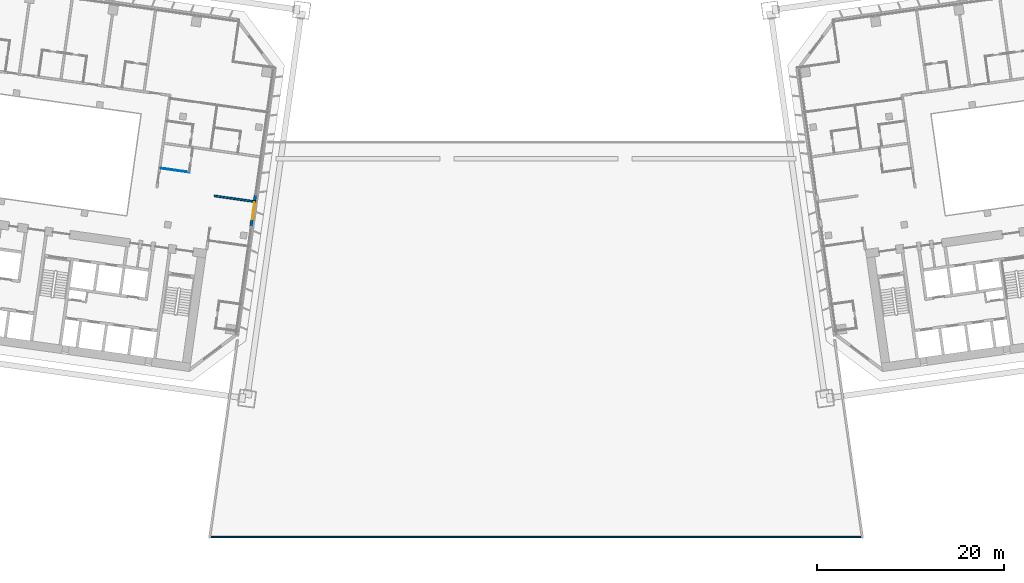
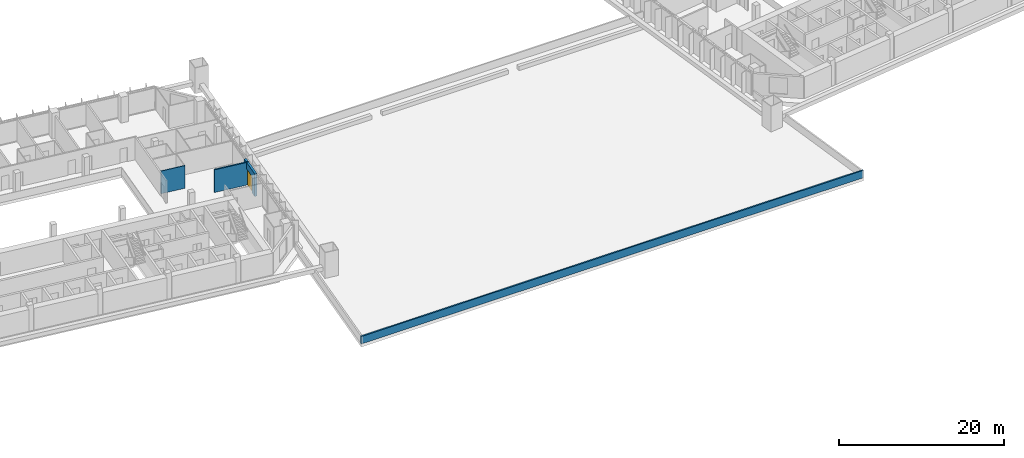
# One storey, part 30 of 46: 4 walls, 1 door, 1 opening.
"""IFC4 building model written with IfcOpenShell, lengths in metres."""

from ifc_helpers import new_model, si_unit, direction, frame, frame_2d, origin, place, context, subcontext, project, spatial, rectangle, extrude, material, layer, layer_set, type_object, element, fill, save


model = new_model("IFC4")

# Units and contexts
model_context = context("Model", 3, precision=1e-05, world=origin(), true_north=direction((0.0, 1.0)))
body_context = subcontext(model_context, "Body", "Model", "MODEL_VIEW")
ifc_project = project(units=[si_unit("LENGTHUNIT", "METRE"), si_unit("AREAUNIT", "SQUARE_METRE"), si_unit("VOLUMEUNIT", "CUBIC_METRE"), si_unit("PLANEANGLEUNIT", "RADIAN"), si_unit("MASSUNIT", "GRAM", prefix="KILO")], contexts=[model_context])

# Site, building, storey
site_placement = place(None, origin())
site = spatial("IfcSite", under=ifc_project, at=site_placement, CompositionType="ELEMENT")
building_placement = place(site_placement, origin())
building = spatial("IfcBuilding", under=site, at=building_placement, Name="Mirante Cascada Hotel Towers", CompositionType="ELEMENT")
storey_placement = place(building_placement, frame((0.0, 0.0, 39.5)))
storey = spatial("IfcBuildingStorey", under=building, at=storey_placement, Name="L06", CompositionType="ELEMENT", Elevation=39.5)

# Walls
ifc_material_1 = material(Name="Fire-rated plasterboard on metal studs")
ifc_layer_1 = layer(ifc_material_1, 0.2)
ifc_layer_set_1 = layer_set([ifc_layer_1], Name="Compartment wall 200 EI 120")
wall_type_1 = type_object("IfcWallType", Name="Compartment wall 200 EI 120", PredefinedType="PARTITIONING", material=ifc_layer_set_1)
wall_1_placement = place(storey_placement, frame((-34.4562, -1.3737, 0.0), z_axis=(0.0, 0.0, 1.0), x_axis=(0.9902674, -0.1391779, 0.0)))
element("IfcWall", 1, at=wall_1_placement, inside=storey, type_object=wall_type_1, Name="Wall 1-L06-08", PredefinedType="PARTITIONING", context=body_context, shape_type="SweptSolid", body=[
    extrude(rectangle(XDim=4.5, YDim=0.2, at=frame_2d((2.25, 0.0))), origin(), (0.0, 0.0, 1.0), 3.35),
])
ifc_material_2 = material(Name="Plasterboard on metal studs")
ifc_layer_2 = layer(ifc_material_2, 0.1)
ifc_layer_set_2 = layer_set([ifc_layer_2], Name="Partition 100")
wall_type_2 = type_object("IfcWallType", Name="Partition 100", PredefinedType="PARTITIONING", material=ifc_layer_set_2)
wall_2_placement = place(storey_placement, frame((-40.1999, 1.5878, 0.0), z_axis=(0.0, 0.0, 1.0), x_axis=(0.9902676, -0.1391765, 0.0)))
element("IfcWall", 2, at=wall_2_placement, inside=storey, type_object=wall_type_2, Name="Wall 1-L06-10", PredefinedType="PARTITIONING", context=body_context, shape_type="SweptSolid", body=[
    extrude(rectangle(XDim=3.15, YDim=0.1, at=frame_2d((1.575, 0.0))), origin(), (0.0, 0.0, 1.0), 3.35),
])

# Wall, opening, door
ifc_material_3 = material(Name="Precast concrete C40/50", Category="concrete")
ifc_layer_3 = layer(ifc_material_3, 0.3)
ifc_layer_set_3 = layer_set([ifc_layer_3], Name="Precast concrete C40/50 terrace wall 300")
wall_type_3 = type_object("IfcWallType", Name="Precast concrete C40/50 terrace wall 300", PredefinedType="STANDARD", material=ifc_layer_set_3)
wall_3_placement = place(storey_placement, frame((-30.0511, -1.2859, 0.0), z_axis=(0.0, 0.0, 1.0), x_axis=(-0.1391769, -0.9902675, 0.0)))
wall_3 = element("IfcWall", 3, at=wall_3_placement, inside=storey, type_object=wall_type_3, Name="Terrace door pier wall T1 L06", PredefinedType="STANDARD", context=body_context, shape_type="SweptSolid", body=[
    extrude(rectangle(XDim=3.4, YDim=0.3, at=frame_2d((1.7, 0.0))), origin(), (0.0, 0.0, 1.0), 3.35),
])
opening_placement = place(wall_3_placement, frame((0.8, 0.0, 0.0)))
opening = element("IfcOpeningElement", 4, at=opening_placement, cuts=wall_3, Name="Opening D1-06-91", PredefinedType="OPENING", context=body_context, shape_type="SweptSolid", body=[
    extrude(rectangle(XDim=1.8, YDim=2.4, at=frame_2d((0.9, 1.2))), frame((0.0, 0.15, 0.0), z_axis=(0.0, -1.0, 0.0), x_axis=(1.0, 0.0, 0.0)), (0.0, 0.0, 1.0), 0.3),
])
ifc_material_4 = material(Name="Aluminium frame with clear laminated glazing", Category="aluminium")
door_type = type_object("IfcDoorType", Name="Terrace double door 1800x2400", OperationType="DOUBLE_DOOR_SINGLE_SWING", PredefinedType="DOOR", material=ifc_material_4)
door_placement = place(opening_placement, origin())
door = element("IfcDoor", 5, at=door_placement, inside=storey, type_object=door_type, Name="Terrace door D1-06-91", OperationType="DOUBLE_DOOR_SINGLE_SWING", OverallHeight=2.4, OverallWidth=1.8, PredefinedType="DOOR", context=body_context, shape_type="SweptSolid", body=[
    extrude(rectangle(XDim=0.895, YDim=2.4, at=frame_2d((0.4475, 1.2))), frame((0.0, 0.025, 0.0), z_axis=(0.0, -1.0, 0.0), x_axis=(1.0, 0.0, 0.0)), (0.0, 0.0, 1.0), 0.05),
    extrude(rectangle(XDim=0.895, YDim=2.4, at=frame_2d((1.3525, 1.2))), frame((0.0, 0.025, 0.0), z_axis=(0.0, -1.0, 0.0), x_axis=(1.0, 0.0, 0.0)), (0.0, 0.0, 1.0), 0.05),
])
fill(opening, door)

# Wall
ifc_material_5 = material(Name="Precast concrete C40/50", Category="concrete")
ifc_layer_4 = layer(ifc_material_5, 0.2)
ifc_layer_set_4 = layer_set([ifc_layer_4], Name="Terrace parapet wall 200 concrete C40/50")
wall_type_4 = type_object("IfcWallType", Name="Terrace parapet wall 200 concrete C40/50", PredefinedType="PARAPET", material=ifc_layer_set_4)
wall_4_placement = place(storey_placement, frame((-35.0595, -37.9, 0.0), z_axis=(0.0, 0.0, 1.0), x_axis=(1.0, 0.0, 0.0)))
element("IfcWall", 6, at=wall_4_placement, inside=storey, type_object=wall_type_4, Name="Terrace parapet podium L05 1.1.1", PredefinedType="PARAPET", context=body_context, shape_type="SweptSolid", body=[
    extrude(rectangle(XDim=70.119, YDim=0.2, at=frame_2d((35.0595, 0.0))), origin(), (0.0, 0.0, 1.0), 1.1),
])

save(model, "model.ifc")
